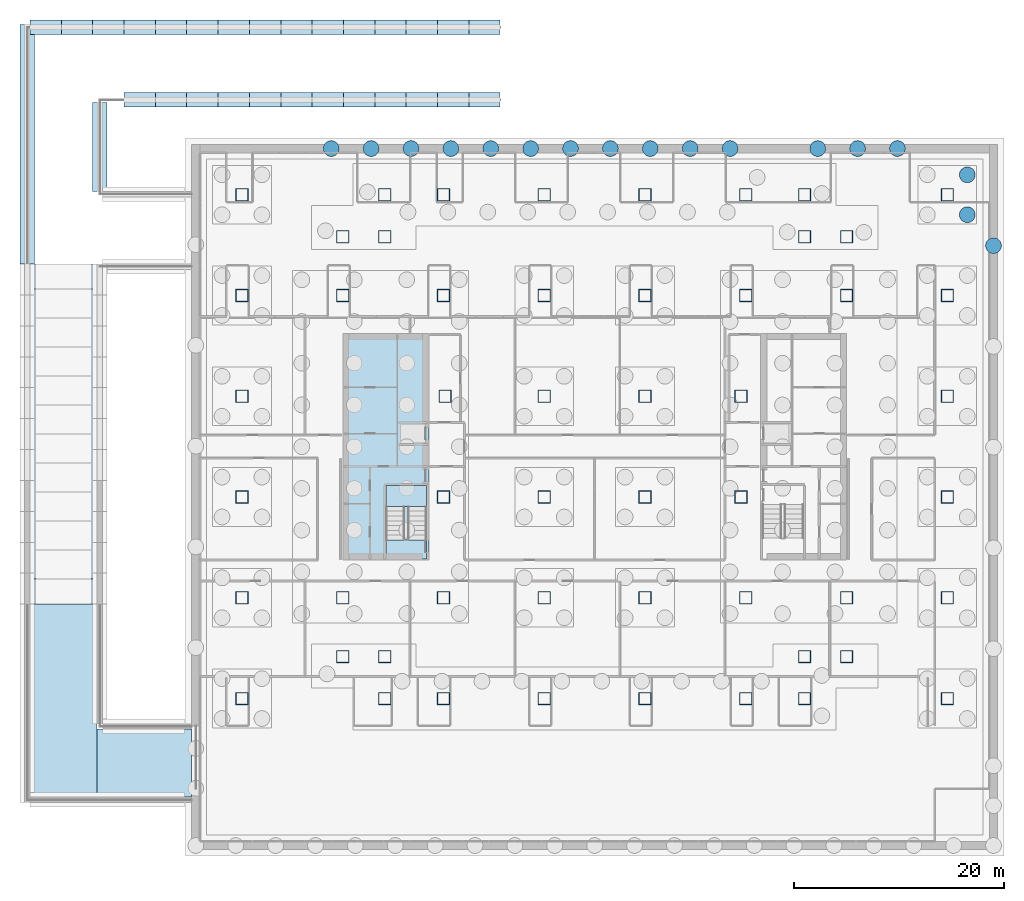
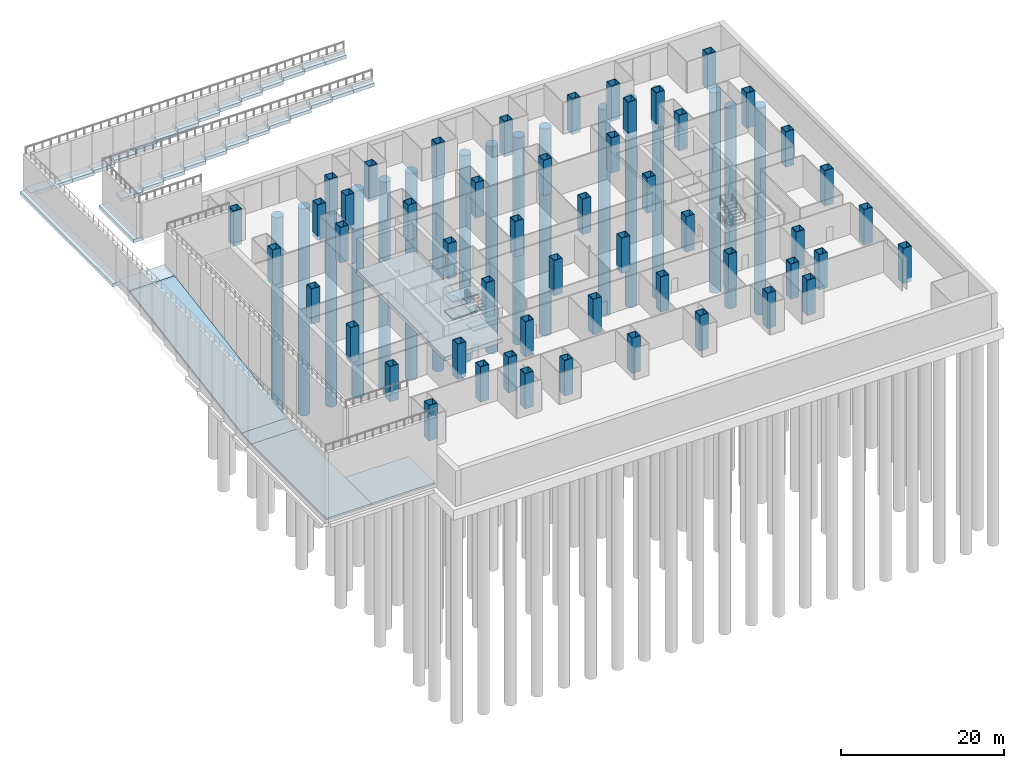
# One storey, part 3 of 17: 52 columns, 29 footings, 17 piles, 9 slabs, 1 element without a shape of its own.
"""IFC4 building model written with IfcOpenShell, lengths in metres."""

from ifc_helpers import new_model, si_unit, direction, frame, origin, origin_2d, place, context, subcontext, project, spatial, polyline, hollow_rectangle, circle, outline, extrude, material, layer, layer_set, material_profile, profile_set, type_object, element, aggregate, save


model = new_model("IFC4")

# Units and contexts
model_context = context("Model", 3, precision=1e-05, world=origin(), true_north=direction((0.0, 1.0)))
body_context = subcontext(model_context, "Body", "Model", "MODEL_VIEW")
ifc_project = project(units=[si_unit("LENGTHUNIT", "METRE"), si_unit("AREAUNIT", "SQUARE_METRE"), si_unit("VOLUMEUNIT", "CUBIC_METRE"), si_unit("PLANEANGLEUNIT", "RADIAN"), si_unit("MASSUNIT", "GRAM", prefix="KILO")], contexts=[model_context])

# Site, building, storey
site_placement = place(None, origin())
site = spatial("IfcSite", under=ifc_project, at=site_placement, CompositionType="ELEMENT")
building_placement = place(site_placement, origin())
building = spatial("IfcBuilding", under=site, at=building_placement, Name="Cobrizo Arcos Hotel Tower", CompositionType="ELEMENT")
storey_placement = place(building_placement, frame((0.0, 0.0, -10.0)))
storey = spatial("IfcBuildingStorey", under=building, at=storey_placement, Name="B2", CompositionType="ELEMENT", Elevation=-10.0)

# Piles
ifc_material_1 = material(Name="Concrete f'c 40 MPa", Category="concrete")
ifc_material_profile_1 = material_profile(ifc_material_1, circle(Radius=0.75, at=origin_2d()), Name="BORED PILE 1500")
ifc_profile_set_1 = profile_set([ifc_material_profile_1], Name="Concrete f'c 40 MPa")
pile_type = type_object("IfcPileType", Name="Bored pile 1500", PredefinedType="BORED", material=ifc_profile_set_1)
for number, where, z_axis, x_axis, name in (
    (1, (35.5, 22.10009765625, -2.949951171875), (0.0, 0.0, -1.0), (1.0, 0.0, 0.0), "Bored pile PL1, pile cap 20, no. 1"),
    (2, (35.5, 25.89990234375, -2.949951171875), (0.0, 0.0, -1.0), (1.0, 0.0, 0.0), "Bored pile PL1, pile cap 20, no. 3"),
):
    element("IfcPile", number, at=place(storey_placement, frame(where, z_axis=z_axis, x_axis=x_axis)), inside=storey, type_object=pile_type, Name=name, PredefinedType="BORED", context=body_context, shape_type="SweptSolid", body=[
        extrude(circle(Radius=0.75, at=origin_2d()), origin(), (0.0, 0.0, 1.0), 30.050048828125),
    ])
for number, where, z_axis, x_axis, name in (
    (3, (38.0, 19.14990234375, -1.949951171875), (0.0, 0.0, -1.0), (1.0, 0.0, 0.0), "Bored pile PL1, basement wall strip, no. 027"),
    (4, (28.85009765625, 28.39990234375, -1.949951171875), (0.0, 0.0, -1.0), (1.0, 0.0, 0.0), "Bored pile PL1, basement wall strip, no. 028"),
    (5, (25.050048828125, 28.39990234375, -1.949951171875), (0.0, 0.0, -1.0), (1.0, 0.0, 0.0), "Bored pile PL1, basement wall strip, no. 029"),
    (6, (21.25, 28.39990234375, -1.949951171875), (0.0, 0.0, -1.0), (1.0, 0.0, 0.0), "Bored pile PL1, basement wall strip, no. 030"),
    (7, (12.89990234375, 28.39990234375, -1.949951171875), (0.0, 0.0, -1.0), (1.0, 0.0, 0.0), "Bored pile PL1, basement wall strip, no. 031"),
    (8, (9.10009765625, 28.39990234375, -1.949951171875), (0.0, 0.0, -1.0), (1.0, 0.0, 0.0), "Bored pile PL1, basement wall strip, no. 032"),
    (9, (5.300048828125, 28.39990234375, -1.949951171875), (0.0, 0.0, -1.0), (1.0, 0.0, 0.0), "Bored pile PL1, basement wall strip, no. 033"),
    (10, (1.5, 28.39990234375, -1.949951171875), (0.0, 0.0, -1.0), (1.0, 0.0, 0.0), "Bored pile PL1, basement wall strip, no. 034"),
    (11, (-2.300048828125, 28.39990234375, -1.949951171875), (0.0, 0.0, -1.0), (1.0, 0.0, 0.0), "Bored pile PL1, basement wall strip, no. 035"),
    (12, (-6.10009765625, 28.39990234375, -1.949951171875), (0.0, 0.0, -1.0), (1.0, 0.0, 0.0), "Bored pile PL1, basement wall strip, no. 036"),
    (13, (-9.89990234375, 28.39990234375, -1.949951171875), (0.0, 0.0, -1.0), (1.0, 0.0, 0.0), "Bored pile PL1, basement wall strip, no. 037"),
    (14, (-13.699951171875, 28.39990234375, -1.949951171875), (0.0, 0.0, -1.0), (1.0, 0.0, 0.0), "Bored pile PL1, basement wall strip, no. 038"),
    (15, (-17.5, 28.39990234375, -1.949951171875), (0.0, 0.0, -1.0), (1.0, 0.0, 0.0), "Bored pile PL1, basement wall strip, no. 039"),
    (16, (-21.300048828125, 28.39990234375, -1.949951171875), (0.0, 0.0, -1.0), (1.0, 0.0, 0.0), "Bored pile PL1, basement wall strip, no. 040"),
    (17, (-25.10009765625, 28.39990234375, -1.949951171875), (0.0, 0.0, -1.0), (1.0, 0.0, 0.0), "Bored pile PL1, basement wall strip, no. 041"),
):
    element("IfcPile", number, at=place(storey_placement, frame(where, z_axis=z_axis, x_axis=x_axis)), inside=storey, type_object=pile_type, Name=name, PredefinedType="BORED", context=body_context, shape_type="SweptSolid", body=[
        extrude(circle(Radius=0.75, at=origin_2d()), origin(), (0.0, 0.0, 1.0), 31.050048828125),
    ])

# Footings
footing_type = type_object("IfcFootingType", Name="Ramp wall footing 1400 x 500", PredefinedType="STRIP_FOOTING", material=ifc_material_1)
footing_1_placement = place(storey_placement, frame((0.0, 0.0, 4.199951171875)))
element("IfcFooting", 18, at=footing_1_placement, inside=storey, type_object=footing_type, Name="Ramp A wall footing north 1", PredefinedType="STRIP_FOOTING", context=body_context, shape_type="SweptSolid", body=[
    extrude(outline(polyline([(-50.813232421875, 40.64990234375), (-50.813232421875, 39.25), (-53.800048828125, 39.25), (-53.800048828125, 40.64990234375), (-50.813232421875, 40.64990234375)])), origin(), (0.0, 0.0, 1.0), 0.5),
])
footing_2_placement = place(storey_placement, frame((0.0, 0.0, 4.199951171875)))
element("IfcFooting", 19, at=footing_2_placement, inside=storey, type_object=footing_type, Name="Ramp A wall footing north 2", PredefinedType="STRIP_FOOTING", context=body_context, shape_type="SweptSolid", body=[
    extrude(outline(polyline([(-47.82666015625, 40.64990234375), (-47.82666015625, 39.25), (-50.813232421875, 39.25), (-50.813232421875, 40.64990234375), (-47.82666015625, 40.64990234375)])), origin(), (0.0, 0.0, 1.0), 0.5),
])
footing_3_placement = place(storey_placement, frame((0.0, 0.0, 4.199951171875)))
element("IfcFooting", 20, at=footing_3_placement, inside=storey, type_object=footing_type, Name="Ramp A wall footing north 3", PredefinedType="STRIP_FOOTING", context=body_context, shape_type="SweptSolid", body=[
    extrude(outline(polyline([(-44.840087890625, 40.64990234375), (-44.840087890625, 39.25), (-47.82666015625, 39.25), (-47.82666015625, 40.64990234375), (-44.840087890625, 40.64990234375)])), origin(), (0.0, 0.0, 1.0), 0.5),
])
footing_4_placement = place(storey_placement, frame((0.0, 0.0, 4.4267578125)))
element("IfcFooting", 21, at=footing_4_placement, inside=storey, type_object=footing_type, Name="Ramp A wall footing north 4", PredefinedType="STRIP_FOOTING", context=body_context, shape_type="SweptSolid", body=[
    extrude(outline(polyline([(-41.853271484375, 40.64990234375), (-41.853271484375, 39.25), (-44.840087890625, 39.25), (-44.840087890625, 40.64990234375), (-41.853271484375, 40.64990234375)])), origin(), (0.0, 0.0, 1.0), 0.5),
])
footing_5_placement = place(storey_placement, frame((0.0, 0.0, 4.4267578125)))
element("IfcFooting", 22, at=footing_5_placement, inside=storey, type_object=footing_type, Name="Ramp A wall footing south 4", PredefinedType="STRIP_FOOTING", context=body_context, shape_type="SweptSolid", body=[
    extrude(outline(polyline([(-41.853271484375, 33.75), (-41.853271484375, 32.35009765625), (-44.840087890625, 32.35009765625), (-44.840087890625, 33.75), (-41.853271484375, 33.75)])), origin(), (0.0, 0.0, 1.0), 0.5),
])
footing_6_placement = place(storey_placement, frame((0.0, 0.0, 4.92431640625)))
element("IfcFooting", 23, at=footing_6_placement, inside=storey, type_object=footing_type, Name="Ramp A wall footing north 5", PredefinedType="STRIP_FOOTING", context=body_context, shape_type="SweptSolid", body=[
    extrude(outline(polyline([(-38.86669921875, 40.64990234375), (-38.86669921875, 39.25), (-41.853271484375, 39.25), (-41.853271484375, 40.64990234375), (-38.86669921875, 40.64990234375)])), origin(), (0.0, 0.0, 1.0), 0.5),
])
footing_7_placement = place(storey_placement, frame((0.0, 0.0, 4.92431640625)))
element("IfcFooting", 24, at=footing_7_placement, inside=storey, type_object=footing_type, Name="Ramp A wall footing south 5", PredefinedType="STRIP_FOOTING", context=body_context, shape_type="SweptSolid", body=[
    extrude(outline(polyline([(-38.86669921875, 33.75), (-38.86669921875, 32.35009765625), (-41.853271484375, 32.35009765625), (-41.853271484375, 33.75), (-38.86669921875, 33.75)])), origin(), (0.0, 0.0, 1.0), 0.5),
])
footing_8_placement = place(storey_placement, frame((0.0, 0.0, 5.422119140625)))
element("IfcFooting", 25, at=footing_8_placement, inside=storey, type_object=footing_type, Name="Ramp A wall footing north 6", PredefinedType="STRIP_FOOTING", context=body_context, shape_type="SweptSolid", body=[
    extrude(outline(polyline([(-35.8798828125, 40.64990234375), (-35.8798828125, 39.25), (-38.86669921875, 39.25), (-38.86669921875, 40.64990234375), (-35.8798828125, 40.64990234375)])), origin(), (0.0, 0.0, 1.0), 0.5),
])
footing_9_placement = place(storey_placement, frame((0.0, 0.0, 5.422119140625)))
element("IfcFooting", 26, at=footing_9_placement, inside=storey, type_object=footing_type, Name="Ramp A wall footing south 6", PredefinedType="STRIP_FOOTING", context=body_context, shape_type="SweptSolid", body=[
    extrude(outline(polyline([(-35.8798828125, 33.75), (-35.8798828125, 32.35009765625), (-38.86669921875, 32.35009765625), (-38.86669921875, 33.75), (-35.8798828125, 33.75)])), origin(), (0.0, 0.0, 1.0), 0.5),
])
footing_10_placement = place(storey_placement, frame((0.0, 0.0, 5.919921875)))
element("IfcFooting", 27, at=footing_10_placement, inside=storey, type_object=footing_type, Name="Ramp A wall footing north 7", PredefinedType="STRIP_FOOTING", context=body_context, shape_type="SweptSolid", body=[
    extrude(outline(polyline([(-32.893310546875, 40.64990234375), (-32.893310546875, 39.25), (-35.8798828125, 39.25), (-35.8798828125, 40.64990234375), (-32.893310546875, 40.64990234375)])), origin(), (0.0, 0.0, 1.0), 0.5),
])
footing_11_placement = place(storey_placement, frame((0.0, 0.0, 5.919921875)))
element("IfcFooting", 28, at=footing_11_placement, inside=storey, type_object=footing_type, Name="Ramp A wall footing south 7", PredefinedType="STRIP_FOOTING", context=body_context, shape_type="SweptSolid", body=[
    extrude(outline(polyline([(-32.893310546875, 33.75), (-32.893310546875, 32.35009765625), (-35.8798828125, 32.35009765625), (-35.8798828125, 33.75), (-32.893310546875, 33.75)])), origin(), (0.0, 0.0, 1.0), 0.5),
])
footing_12_placement = place(storey_placement, frame((0.0, 0.0, 6.417724609375)))
element("IfcFooting", 29, at=footing_12_placement, inside=storey, type_object=footing_type, Name="Ramp A wall footing north 8", PredefinedType="STRIP_FOOTING", context=body_context, shape_type="SweptSolid", body=[
    extrude(outline(polyline([(-29.90673828125, 40.64990234375), (-29.90673828125, 39.25), (-32.893310546875, 39.25), (-32.893310546875, 40.64990234375), (-29.90673828125, 40.64990234375)])), origin(), (0.0, 0.0, 1.0), 0.5),
])
footing_13_placement = place(storey_placement, frame((0.0, 0.0, 6.417724609375)))
element("IfcFooting", 30, at=footing_13_placement, inside=storey, type_object=footing_type, Name="Ramp A wall footing south 8", PredefinedType="STRIP_FOOTING", context=body_context, shape_type="SweptSolid", body=[
    extrude(outline(polyline([(-29.90673828125, 33.75), (-29.90673828125, 32.35009765625), (-32.893310546875, 32.35009765625), (-32.893310546875, 33.75), (-29.90673828125, 33.75)])), origin(), (0.0, 0.0, 1.0), 0.5),
])
footing_14_placement = place(storey_placement, frame((0.0, 0.0, 6.91552734375)))
element("IfcFooting", 31, at=footing_14_placement, inside=storey, type_object=footing_type, Name="Ramp A wall footing north 9", PredefinedType="STRIP_FOOTING", context=body_context, shape_type="SweptSolid", body=[
    extrude(outline(polyline([(-26.919921875, 40.64990234375), (-26.919921875, 39.25), (-29.90673828125, 39.25), (-29.90673828125, 40.64990234375), (-26.919921875, 40.64990234375)])), origin(), (0.0, 0.0, 1.0), 0.5),
])
footing_15_placement = place(storey_placement, frame((0.0, 0.0, 6.91552734375)))
element("IfcFooting", 32, at=footing_15_placement, inside=storey, type_object=footing_type, Name="Ramp A wall footing south 9", PredefinedType="STRIP_FOOTING", context=body_context, shape_type="SweptSolid", body=[
    extrude(outline(polyline([(-26.919921875, 33.75), (-26.919921875, 32.35009765625), (-29.90673828125, 32.35009765625), (-29.90673828125, 33.75), (-26.919921875, 33.75)])), origin(), (0.0, 0.0, 1.0), 0.5),
])
footing_16_placement = place(storey_placement, frame((0.0, 0.0, 7.413330078125)))
element("IfcFooting", 33, at=footing_16_placement, inside=storey, type_object=footing_type, Name="Ramp A wall footing north 10", PredefinedType="STRIP_FOOTING", context=body_context, shape_type="SweptSolid", body=[
    extrude(outline(polyline([(-23.933349609375, 40.64990234375), (-23.933349609375, 39.25), (-26.919921875, 39.25), (-26.919921875, 40.64990234375), (-23.933349609375, 40.64990234375)])), origin(), (0.0, 0.0, 1.0), 0.5),
])
footing_17_placement = place(storey_placement, frame((0.0, 0.0, 7.413330078125)))
element("IfcFooting", 34, at=footing_17_placement, inside=storey, type_object=footing_type, Name="Ramp A wall footing south 10", PredefinedType="STRIP_FOOTING", context=body_context, shape_type="SweptSolid", body=[
    extrude(outline(polyline([(-23.933349609375, 33.75), (-23.933349609375, 32.35009765625), (-26.919921875, 32.35009765625), (-26.919921875, 33.75), (-23.933349609375, 33.75)])), origin(), (0.0, 0.0, 1.0), 0.5),
])
footing_18_placement = place(storey_placement, frame((0.0, 0.0, 7.9111328125)))
element("IfcFooting", 35, at=footing_18_placement, inside=storey, type_object=footing_type, Name="Ramp A wall footing north 11", PredefinedType="STRIP_FOOTING", context=body_context, shape_type="SweptSolid", body=[
    extrude(outline(polyline([(-20.94677734375, 40.64990234375), (-20.94677734375, 39.25), (-23.933349609375, 39.25), (-23.933349609375, 40.64990234375), (-20.94677734375, 40.64990234375)])), origin(), (0.0, 0.0, 1.0), 0.5),
])
footing_19_placement = place(storey_placement, frame((0.0, 0.0, 7.9111328125)))
element("IfcFooting", 36, at=footing_19_placement, inside=storey, type_object=footing_type, Name="Ramp A wall footing south 11", PredefinedType="STRIP_FOOTING", context=body_context, shape_type="SweptSolid", body=[
    extrude(outline(polyline([(-20.94677734375, 33.75), (-20.94677734375, 32.35009765625), (-23.933349609375, 32.35009765625), (-23.933349609375, 33.75), (-20.94677734375, 33.75)])), origin(), (0.0, 0.0, 1.0), 0.5),
])
footing_20_placement = place(storey_placement, frame((0.0, 0.0, 8.408935546875)))
element("IfcFooting", 37, at=footing_20_placement, inside=storey, type_object=footing_type, Name="Ramp A wall footing north 12", PredefinedType="STRIP_FOOTING", context=body_context, shape_type="SweptSolid", body=[
    extrude(outline(polyline([(-17.9599609375, 40.64990234375), (-17.9599609375, 39.25), (-20.94677734375, 39.25), (-20.94677734375, 40.64990234375), (-17.9599609375, 40.64990234375)])), origin(), (0.0, 0.0, 1.0), 0.5),
])
footing_21_placement = place(storey_placement, frame((0.0, 0.0, 8.408935546875)))
element("IfcFooting", 38, at=footing_21_placement, inside=storey, type_object=footing_type, Name="Ramp A wall footing south 12", PredefinedType="STRIP_FOOTING", context=body_context, shape_type="SweptSolid", body=[
    extrude(outline(polyline([(-17.9599609375, 33.75), (-17.9599609375, 32.35009765625), (-20.94677734375, 32.35009765625), (-20.94677734375, 33.75), (-17.9599609375, 33.75)])), origin(), (0.0, 0.0, 1.0), 0.5),
])
footing_22_placement = place(storey_placement, frame((0.0, 0.0, 8.90673828125)))
element("IfcFooting", 39, at=footing_22_placement, inside=storey, type_object=footing_type, Name="Ramp A wall footing north 13", PredefinedType="STRIP_FOOTING", context=body_context, shape_type="SweptSolid", body=[
    extrude(outline(polyline([(-14.973388671875, 40.64990234375), (-14.973388671875, 39.25), (-17.9599609375, 39.25), (-17.9599609375, 40.64990234375), (-14.973388671875, 40.64990234375)])), origin(), (0.0, 0.0, 1.0), 0.5),
])
footing_23_placement = place(storey_placement, frame((0.0, 0.0, 8.90673828125)))
element("IfcFooting", 40, at=footing_23_placement, inside=storey, type_object=footing_type, Name="Ramp A wall footing south 13", PredefinedType="STRIP_FOOTING", context=body_context, shape_type="SweptSolid", body=[
    extrude(outline(polyline([(-14.973388671875, 33.75), (-14.973388671875, 32.35009765625), (-17.9599609375, 32.35009765625), (-17.9599609375, 33.75), (-14.973388671875, 33.75)])), origin(), (0.0, 0.0, 1.0), 0.5),
])
footing_24_placement = place(storey_placement, frame((0.0, 0.0, 9.199951171875)))
element("IfcFooting", 41, at=footing_24_placement, inside=storey, type_object=footing_type, Name="Ramp A wall footing north 14", PredefinedType="STRIP_FOOTING", context=body_context, shape_type="SweptSolid", body=[
    extrude(outline(polyline([(-11.98681640625, 40.64990234375), (-11.98681640625, 39.25), (-14.973388671875, 39.25), (-14.973388671875, 40.64990234375), (-11.98681640625, 40.64990234375)])), origin(), (0.0, 0.0, 1.0), 0.5),
])
footing_25_placement = place(storey_placement, frame((0.0, 0.0, 9.199951171875)))
element("IfcFooting", 42, at=footing_25_placement, inside=storey, type_object=footing_type, Name="Ramp A wall footing south 14", PredefinedType="STRIP_FOOTING", context=body_context, shape_type="SweptSolid", body=[
    extrude(outline(polyline([(-11.98681640625, 33.75), (-11.98681640625, 32.35009765625), (-14.973388671875, 32.35009765625), (-14.973388671875, 33.75), (-11.98681640625, 33.75)])), origin(), (0.0, 0.0, 1.0), 0.5),
])
footing_26_placement = place(storey_placement, frame((0.0, 0.0, 9.199951171875)))
element("IfcFooting", 43, at=footing_26_placement, inside=storey, type_object=footing_type, Name="Ramp A wall footing north 15", PredefinedType="STRIP_FOOTING", context=body_context, shape_type="SweptSolid", body=[
    extrude(outline(polyline([(-9.0, 40.64990234375), (-9.0, 39.25), (-11.98681640625, 39.25), (-11.98681640625, 40.64990234375), (-9.0, 40.64990234375)])), origin(), (0.0, 0.0, 1.0), 0.5),
])
footing_27_placement = place(storey_placement, frame((0.0, 0.0, 9.199951171875)))
element("IfcFooting", 44, at=footing_27_placement, inside=storey, type_object=footing_type, Name="Ramp A wall footing south 15", PredefinedType="STRIP_FOOTING", context=body_context, shape_type="SweptSolid", body=[
    extrude(outline(polyline([(-9.0, 33.75), (-9.0, 32.35009765625), (-11.98681640625, 32.35009765625), (-11.98681640625, 33.75), (-9.0, 33.75)])), origin(), (0.0, 0.0, 1.0), 0.5),
])
footing_28_placement = place(storey_placement, frame((0.0, 0.0, 4.199951171875)))
element("IfcFooting", 45, at=footing_28_placement, inside=storey, type_object=footing_type, Name="Ramp wall footing B west b1", PredefinedType="STRIP_FOOTING", context=body_context, shape_type="SweptSolid", body=[
    extrude(outline(polyline([(-54.75, 40.199951171875), (-53.35009765625, 40.199951171875), (-53.35009765625, 17.39990234375), (-54.75, 17.39990234375), (-54.75, 40.199951171875)])), origin(), (0.0, 0.0, 1.0), 0.5),
])
footing_29_placement = place(storey_placement, frame((0.0, 0.0, 4.199951171875)))
element("IfcFooting", 46, at=footing_29_placement, inside=storey, type_object=footing_type, Name="Ramp wall footing B1 east", PredefinedType="STRIP_FOOTING", context=body_context, shape_type="SweptSolid", body=[
    extrude(outline(polyline([(-47.85009765625, 32.800048828125), (-46.449951171875, 32.800048828125), (-46.449951171875, 24.300048828125), (-47.85009765625, 24.300048828125), (-47.85009765625, 32.800048828125)])), origin(), (0.0, 0.0, 1.0), 0.5),
])

# Columns
ifc_material_2 = material(Name="Steel ASTM A572 Grade 50", Category="steel")
ifc_material_profile_2 = material_profile(ifc_material_2, hollow_rectangle(XDim=1.199951171875, YDim=1.199951171875, WallThickness=0.070068359375, at=origin_2d()), Name="BOX 1200X1200X70")
ifc_profile_set_2 = profile_set([ifc_material_profile_2], Name="Steel ASTM A572 Grade 50")
column_type_1 = type_object("IfcColumnType", Name="BOX 1200X1200X70 column", PredefinedType="COLUMN", material=ifc_profile_set_2)
for number, where, z_axis, x_axis, name in (
    (47, (-33.60009765625, -24.0, -0.60009765625), (0.0, 0.0, 1.0), (1.0, 0.0, 0.0), "Perimeter column C1, B2, no. 00"),
    (48, (-33.60009765625, -14.39990234375, -0.60009765625), (0.0, 0.0, 1.0), (1.0, 0.0, 0.0), "Perimeter column C1, B2, no. 01"),
    (49, (-33.60009765625, -4.800048828125, -0.60009765625), (0.0, 0.0, 1.0), (1.0, 0.0, 0.0), "Perimeter column C1, B2, no. 02"),
    (50, (-33.60009765625, 4.800048828125, -0.60009765625), (0.0, 0.0, 1.0), (1.0, 0.0, 0.0), "Perimeter column C1, B2, no. 03"),
    (51, (-33.60009765625, 14.39990234375, -0.60009765625), (0.0, 0.0, 1.0), (1.0, 0.0, 0.0), "Perimeter column C1, B2, no. 04"),
    (52, (-33.60009765625, 24.0, -0.60009765625), (0.0, 0.0, 1.0), (1.0, 0.0, 0.0), "Perimeter column C1, B2, no. 05"),
    (53, (-20.0, -24.0, -0.60009765625), (0.0, 0.0, 1.0), (1.0, 0.0, 0.0), "Perimeter column C1, B2, no. 06"),
    (54, (-20.0, 24.0, -0.60009765625), (0.0, 0.0, 1.0), (1.0, 0.0, 0.0), "Perimeter column C1, B2, no. 07"),
    (55, (-14.39990234375, -24.0, -0.60009765625), (0.0, 0.0, 1.0), (1.0, 0.0, 0.0), "Perimeter column C1, B2, no. 08"),
    (56, (-14.39990234375, 24.0, -0.60009765625), (0.0, 0.0, 1.0), (1.0, 0.0, 0.0), "Perimeter column C1, B2, no. 09"),
    (57, (-4.800048828125, -24.0, -0.60009765625), (0.0, 0.0, 1.0), (1.0, 0.0, 0.0), "Perimeter column C1, B2, no. 10"),
    (58, (-4.800048828125, 24.0, -0.60009765625), (0.0, 0.0, 1.0), (1.0, 0.0, 0.0), "Perimeter column C1, B2, no. 11"),
    (59, (4.800048828125, -24.0, -0.60009765625), (0.0, 0.0, 1.0), (1.0, 0.0, 0.0), "Perimeter column C1, B2, no. 12"),
    (60, (4.800048828125, 24.0, -0.60009765625), (0.0, 0.0, 1.0), (1.0, 0.0, 0.0), "Perimeter column C1, B2, no. 13"),
    (61, (14.39990234375, -24.0, -0.60009765625), (0.0, 0.0, 1.0), (1.0, 0.0, 0.0), "Perimeter column C1, B2, no. 14"),
    (62, (14.39990234375, 24.0, -0.60009765625), (0.0, 0.0, 1.0), (1.0, 0.0, 0.0), "Perimeter column C1, B2, no. 15"),
    (63, (20.0, -24.0, -0.60009765625), (0.0, 0.0, 1.0), (1.0, 0.0, 0.0), "Perimeter column C1, B2, no. 16"),
    (64, (20.0, 24.0, -0.60009765625), (0.0, 0.0, 1.0), (1.0, 0.0, 0.0), "Perimeter column C1, B2, no. 17"),
    (65, (33.60009765625, -24.0, -0.60009765625), (0.0, 0.0, 1.0), (1.0, 0.0, 0.0), "Perimeter column C1, B2, no. 18"),
    (66, (33.60009765625, -14.39990234375, -0.60009765625), (0.0, 0.0, 1.0), (1.0, 0.0, 0.0), "Perimeter column C1, B2, no. 19"),
    (67, (33.60009765625, -4.800048828125, -0.60009765625), (0.0, 0.0, 1.0), (1.0, 0.0, 0.0), "Perimeter column C1, B2, no. 20"),
    (68, (33.60009765625, 4.800048828125, -0.60009765625), (0.0, 0.0, 1.0), (1.0, 0.0, 0.0), "Perimeter column C1, B2, no. 21"),
    (69, (33.60009765625, 14.39990234375, -0.60009765625), (0.0, 0.0, 1.0), (1.0, 0.0, 0.0), "Perimeter column C1, B2, no. 22"),
    (70, (33.60009765625, 24.0, -0.60009765625), (0.0, 0.0, 1.0), (1.0, 0.0, 0.0), "Perimeter column C1, B2, no. 23"),
):
    element("IfcColumn", number, at=place(storey_placement, frame(where, z_axis=z_axis, x_axis=x_axis)), inside=storey, type_object=column_type_1, Name=name, PredefinedType="COLUMN", context=body_context, shape_type="SweptSolid", body=[
        extrude(hollow_rectangle(XDim=1.199951171875, YDim=1.199951171875, WallThickness=0.070068359375, at=origin_2d()), origin(), (0.0, 0.0, 1.0), 5.300048828125),
    ])
ifc_material_profile_3 = material_profile(ifc_material_2, hollow_rectangle(XDim=1.199951171875, YDim=1.199951171875, WallThickness=0.070068359375, at=origin_2d()), Name="BOX 1200X1200X70")
ifc_profile_set_3 = profile_set([ifc_material_profile_3], Name="Steel ASTM A572 Grade 50")
column_type_2 = type_object("IfcColumnType", Name="BOX 1200X1200X70 interior column", PredefinedType="COLUMN", material=ifc_profile_set_3)
for number, where, z_axis, x_axis, name in (
    (71, (-24.0, -20.0, -0.60009765625), (0.0, 0.0, 1.0), (1.0, 0.0, 0.0), "Interior column C2, B2, no. 00"),
    (72, (-24.0, -14.39990234375, -0.60009765625), (0.0, 0.0, 1.0), (1.0, 0.0, 0.0), "Interior column C2, B2, no. 01"),
    (73, (-24.0, 14.39990234375, -0.60009765625), (0.0, 0.0, 1.0), (1.0, 0.0, 0.0), "Interior column C2, B2, no. 02"),
    (74, (-24.0, 20.0, -0.60009765625), (0.0, 0.0, 1.0), (1.0, 0.0, 0.0), "Interior column C2, B2, no. 03"),
    (75, (-20.0, -20.0, -0.60009765625), (0.0, 0.0, 1.0), (1.0, 0.0, 0.0), "Interior column C2, B2, no. 04"),
    (76, (-20.0, 20.0, -0.60009765625), (0.0, 0.0, 1.0), (1.0, 0.0, 0.0), "Interior column C2, B2, no. 05"),
    (77, (-14.39990234375, -14.39990234375, -0.60009765625), (0.0, 0.0, 1.0), (1.0, 0.0, 0.0), "Interior column C2, B2, no. 06"),
    (78, (-14.39990234375, -4.800048828125, -0.60009765625), (0.0, 0.0, 1.0), (1.0, 0.0, 0.0), "Interior column C2, B2, no. 07"),
    (79, (-14.25, 4.800048828125, -0.60009765625), (0.0, 0.0, 1.0), (1.0, 0.0, 0.0), "Interior column C2, B2, no. 08"),
    (80, (-14.39990234375, 14.39990234375, -0.60009765625), (0.0, 0.0, 1.0), (1.0, 0.0, 0.0), "Interior column C2, B2, no. 09"),
    (81, (-4.800048828125, -14.39990234375, -0.60009765625), (0.0, 0.0, 1.0), (1.0, 0.0, 0.0), "Interior column C2, B2, no. 10"),
    (82, (-4.800048828125, -4.800048828125, -0.60009765625), (0.0, 0.0, 1.0), (1.0, 0.0, 0.0), "Interior column C2, B2, no. 11"),
    (83, (-4.800048828125, 4.800048828125, -0.60009765625), (0.0, 0.0, 1.0), (1.0, 0.0, 0.0), "Interior column C2, B2, no. 12"),
    (84, (-4.800048828125, 14.39990234375, -0.60009765625), (0.0, 0.0, 1.0), (1.0, 0.0, 0.0), "Interior column C2, B2, no. 13"),
    (85, (4.800048828125, -14.39990234375, -0.60009765625), (0.0, 0.0, 1.0), (1.0, 0.0, 0.0), "Interior column C2, B2, no. 14"),
    (86, (4.800048828125, -4.800048828125, -0.60009765625), (0.0, 0.0, 1.0), (1.0, 0.0, 0.0), "Interior column C2, B2, no. 15"),
    (87, (4.800048828125, 4.800048828125, -0.60009765625), (0.0, 0.0, 1.0), (1.0, 0.0, 0.0), "Interior column C2, B2, no. 16"),
    (88, (4.800048828125, 14.39990234375, -0.60009765625), (0.0, 0.0, 1.0), (1.0, 0.0, 0.0), "Interior column C2, B2, no. 17"),
    (89, (14.39990234375, -14.39990234375, -0.60009765625), (0.0, 0.0, 1.0), (1.0, 0.0, 0.0), "Interior column C2, B2, no. 18"),
    (90, (13.93994140625, -4.800048828125, -0.60009765625), (0.0, 0.0, 1.0), (1.0, 0.0, 0.0), "Interior column C2, B2, no. 19"),
    (91, (13.93994140625, 4.800048828125, -0.60009765625), (0.0, 0.0, 1.0), (1.0, 0.0, 0.0), "Interior column C2, B2, no. 20"),
    (92, (14.39990234375, 14.39990234375, -0.60009765625), (0.0, 0.0, 1.0), (1.0, 0.0, 0.0), "Interior column C2, B2, no. 21"),
    (93, (20.0, -20.0, -0.60009765625), (0.0, 0.0, 1.0), (1.0, 0.0, 0.0), "Interior column C2, B2, no. 22"),
    (94, (20.0, 20.0, -0.60009765625), (0.0, 0.0, 1.0), (1.0, 0.0, 0.0), "Interior column C2, B2, no. 23"),
    (95, (24.0, -20.0, -0.60009765625), (0.0, 0.0, 1.0), (1.0, 0.0, 0.0), "Interior column C2, B2, no. 24"),
    (96, (24.0, -14.39990234375, -0.60009765625), (0.0, 0.0, 1.0), (1.0, 0.0, 0.0), "Interior column C2, B2, no. 25"),
    (97, (24.0, 14.39990234375, -0.60009765625), (0.0, 0.0, 1.0), (1.0, 0.0, 0.0), "Interior column C2, B2, no. 26"),
    (98, (24.0, 20.0, -0.60009765625), (0.0, 0.0, 1.0), (1.0, 0.0, 0.0), "Interior column C2, B2, no. 27"),
):
    element("IfcColumn", number, at=place(storey_placement, frame(where, z_axis=z_axis, x_axis=x_axis)), inside=storey, type_object=column_type_2, Name=name, PredefinedType="COLUMN", context=body_context, shape_type="SweptSolid", body=[
        extrude(hollow_rectangle(XDim=1.199951171875, YDim=1.199951171875, WallThickness=0.070068359375, at=origin_2d()), origin(), (0.0, 0.0, 1.0), 5.300048828125),
    ])

# Slabs
ifc_material_3 = material(Name="Concrete f'c 60 MPa", Category="concrete")
ifc_layer_1 = layer(ifc_material_3, 0.60009765625)
ifc_layer_set_1 = layer_set([ifc_layer_1], Name="RC base slab 600 f'c 60 MPa")
slab_type_1 = type_object("IfcSlabType", Name="RC base slab 600 f'c 60 MPa", PredefinedType="BASESLAB", material=ifc_layer_set_1)
slab_1_placement = place(storey_placement, frame((0.0, 0.0, -0.60009765625)))
element("IfcSlab", 99, at=slab_1_placement, inside=storey, type_object=slab_type_1, Name="Core floor slab CS1, west core, B2", PredefinedType="BASESLAB", context=body_context, shape_type="SweptSolid", body=[
    extrude(outline(polyline([(-15.800048828125, -10.800048828125), (-15.800048828125, 10.800048828125), (-24.0, 10.800048828125), (-24.0, -10.800048828125), (-15.800048828125, -10.800048828125)])), origin(), (0.0, 0.0, 1.0), 0.60009765625),
])
ifc_layer_2 = layer(ifc_material_1, 0.300048828125)
ifc_layer_set_2 = layer_set([ifc_layer_2], Name="Ramp apron slab 300 f'c 40 MPa")
slab_type_2 = type_object("IfcSlabType", Name="Ramp apron slab 300 f'c 40 MPa", PredefinedType="LANDING", material=ifc_layer_set_2)
slab_2_placement = place(storey_placement, frame((0.0, 0.0, -0.300048828125)))
element("IfcSlab", 100, at=slab_2_placement, inside=storey, type_object=slab_type_2, Name="Ramp B apron slab foot", PredefinedType="LANDING", context=body_context, shape_type="SweptSolid", body=[
    extrude(outline(polyline([(-53.800048828125, -33.39990234375), (-47.39990234375, -33.39990234375), (-47.39990234375, -15.0), (-53.800048828125, -15.0), (-53.800048828125, -33.39990234375)])), origin(), (0.0, 0.0, 1.0), 0.300048828125),
])
slab_3_placement = place(storey_placement, frame((0.0, 0.0, -0.300048828125)))
element("IfcSlab", 101, at=slab_3_placement, inside=storey, type_object=slab_type_2, Name="Ramp B apron slab leg", PredefinedType="LANDING", context=body_context, shape_type="SweptSolid", body=[
    extrude(outline(polyline([(-47.39990234375, -33.39990234375), (-38.39990234375, -33.39990234375), (-38.39990234375, -26.89990234375), (-47.39990234375, -26.89990234375), (-47.39990234375, -33.39990234375)])), origin(), (0.0, 0.0, 1.0), 0.300048828125),
])

# Stair, slabs
stair_type = type_object("IfcStairType", Name="Exit stair", PredefinedType="HALF_TURN_STAIR", material=ifc_material_1)
stair_placement = place(storey_placement, origin())
stair = element("IfcStair", 102, at=stair_placement, inside=storey, type_object=stair_type, Name="B2 Exit stair ST-W", PredefinedType="HALF_TURN_STAIR")
ifc_layer_3 = layer(ifc_material_1, 0.199951171875)
ifc_layer_set_3 = layer_set([ifc_layer_3], Name="Stair landing")
slab_type_3 = type_object("IfcSlabType", Name="Stair landing", PredefinedType="LANDING", material=ifc_layer_set_3)
slab_4_placement = place(storey_placement, frame((0.0, 0.0, 1.050048828125)))
slab_4 = element("IfcSlab", 103, at=slab_4_placement, type_object=slab_type_3, Name="ST-W landing 1", PredefinedType="LANDING", context=body_context, shape_type="SweptSolid", body=[
    extrude(outline(polyline([(-16.0, -5.679931640625), (-16.0, -3.699951171875), (-19.89990234375, -3.699951171875), (-19.89990234375, -5.679931640625), (-16.0, -5.679931640625)])), origin(), (0.0, 0.0, 1.0), 0.199951171875),
])
slab_5_placement = place(storey_placement, frame((0.0, 0.0, 2.300048828125)))
slab_5 = element("IfcSlab", 104, at=slab_5_placement, type_object=slab_type_3, Name="ST-W landing 2", PredefinedType="LANDING", context=body_context, shape_type="SweptSolid", body=[
    extrude(outline(polyline([(-16.0, -10.699951171875), (-16.0, -8.89990234375), (-19.89990234375, -8.89990234375), (-19.89990234375, -10.699951171875), (-16.0, -10.699951171875)])), origin(), (0.0, 0.0, 1.0), 0.199951171875),
])
slab_6_placement = place(storey_placement, frame((0.0, 0.0, 3.550048828125)))
slab_6 = element("IfcSlab", 105, at=slab_6_placement, type_object=slab_type_3, Name="ST-W landing 3", PredefinedType="LANDING", context=body_context, shape_type="SweptSolid", body=[
    extrude(outline(polyline([(-16.0, -5.679931640625), (-16.0, -3.699951171875), (-19.89990234375, -3.699951171875), (-19.89990234375, -5.679931640625), (-16.0, -5.679931640625)])), origin(), (0.0, 0.0, 1.0), 0.199951171875),
])
aggregate(stair, [slab_4, slab_5, slab_6])

# Slabs
ifc_layer_4 = layer(ifc_material_1, 0.300048828125)
ifc_layer_set_4 = layer_set([ifc_layer_4], Name="Vehicle ramp slab 1 in 12 300 f'c 40 MPa")
slab_type_4 = type_object("IfcSlabType", Name="Vehicle ramp slab 1 in 12 300 f'c 40 MPa", PredefinedType="USERDEFINED", material=ifc_layer_set_4)
for number, where, z_axis, x_axis, name in (
    (106, (-47.39990234375, 17.39990234375, 5.0), (0.0, -0.083028700011, 0.996547156423), (0.0, -0.996547156423, -0.083028700011), "Vehicle ramp b transition slab 1"),
    (107, (-47.39990234375, -12.60009765625, 0.199951171875), (0.0, -0.083028700011, 0.996547156423), (0.0, -0.996547156423, -0.083028700011), "Vehicle ramp b transition slab 2"),
):
    element("IfcSlab", number, at=place(storey_placement, frame(where, z_axis=z_axis, x_axis=x_axis)), inside=storey, type_object=slab_type_4, Name=name, ObjectType="VEHICLE RAMP", PredefinedType="USERDEFINED", context=body_context, shape_type="SweptSolid", body=[
        extrude(outline(polyline([(0.0, 0.0), (2.408217542223071, 0.0), (2.408217542223071, -6.400146484375), (0.0, -6.400146484375), (0.0, 0.0)])), origin(), (0.0, 0.0, -1.0), 0.300048828125),
    ])
ifc_layer_5 = layer(ifc_material_1, 0.300048828125)
ifc_layer_set_5 = layer_set([ifc_layer_5], Name="Vehicle ramp slab 1 in 6 300 f'c 40 MPa")
slab_type_5 = type_object("IfcSlabType", Name="Vehicle ramp slab 1 in 6 300 f'c 40 MPa", PredefinedType="USERDEFINED", material=ifc_layer_set_5)
slab_7_placement = place(storey_placement, frame((-47.39990234375, 15.0, 4.800048828125), z_axis=(0.0, -0.164401817127, 0.986393452191), x_axis=(0.0, -0.986393452191, -0.164401817127)))
element("IfcSlab", 108, at=slab_7_placement, inside=storey, type_object=slab_type_5, Name="Vehicle ramp b run slab", ObjectType="VEHICLE RAMP", PredefinedType="USERDEFINED", context=body_context, shape_type="SweptSolid", body=[
    extrude(outline(polyline([(0.0, 0.0), (27.980820021607187, 0.0), (27.980820021607187, -6.400146484375), (0.0, -6.400146484375), (0.0, 0.0)])), origin(), (0.0, 0.0, -1.0), 0.300048828125),
])

save(model, "model.ifc")
